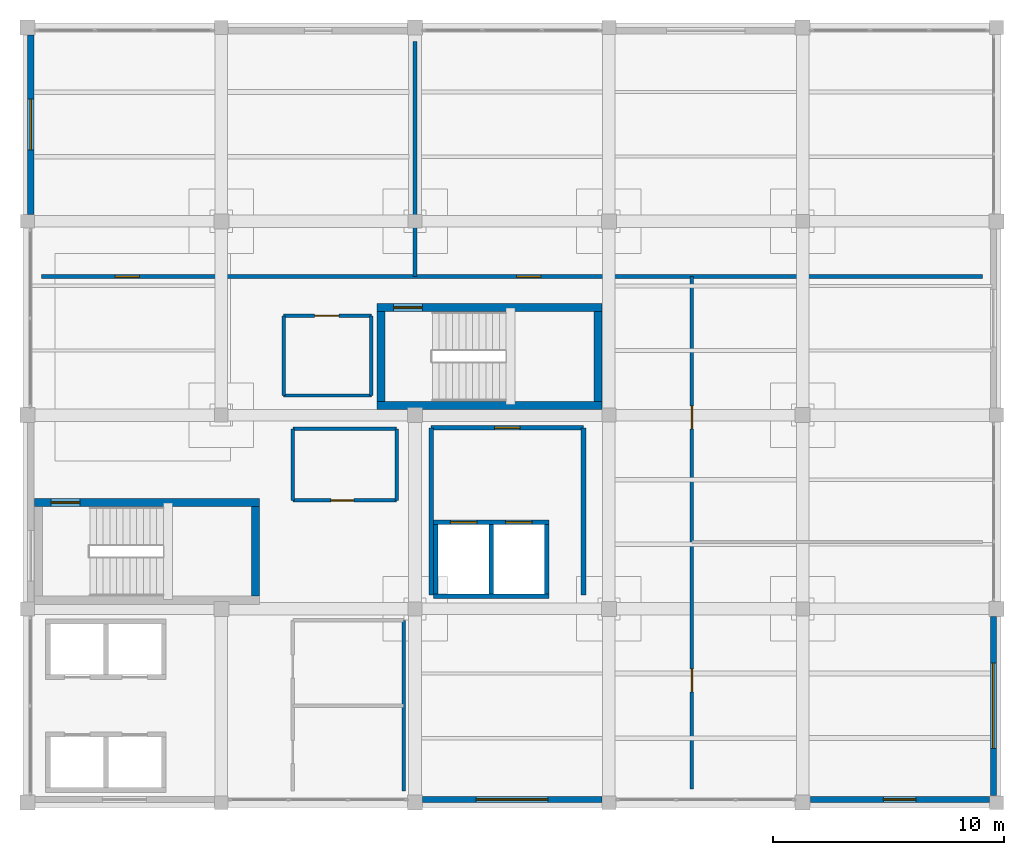
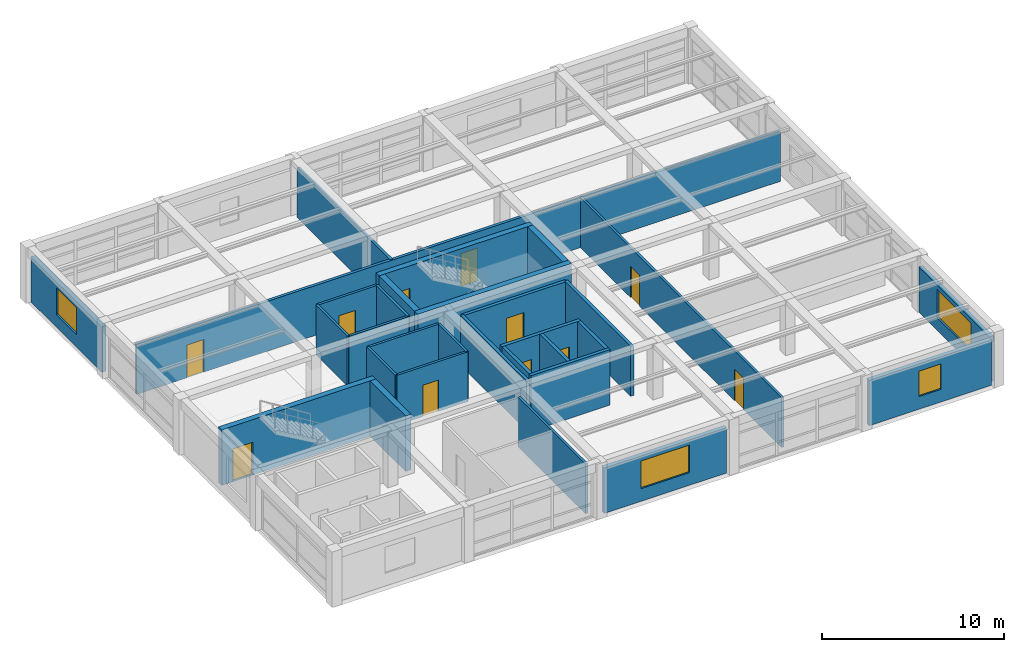
# One storey, part 24 of 26: 30 walls, 11 doors, 4 windows, 15 openings.
"""IFC4 building model written with IfcOpenShell, lengths in metres."""

import ifcopenshell
import ifcopenshell.guid

model = None  # the IFC model being written
_history = None  # IfcOwnerHistory: only IFC2X3 demands one
_inside = {}  # id of a spatial element -> (the spatial element, [elements in it])
_under = {}  # id of a project, library or spatial element -> (it, [spatial elements below it])
_declared = {}  # id of a project -> (the project, [libraries it declares])
_typed = {}  # id of a type object -> (the type object, [elements of that type])
_made_of = {}  # id of a material, layer set ... -> (it, [elements and type objects made of it])


def new_model(schema):
    """Start an empty IFC model of exactly this schema.

    Asked for "IFC4X3", IfcOpenShell would pick the latest addendum, in which some entities
    have other attributes; the version numbers below select the first issue.
    IFC2X3 requires an IfcOwnerHistory on every rooted entity: one is made here for all.
    """
    global model, _history
    if schema == "IFC4X3":
        model = ifcopenshell.file(schema_version=(4, 3, 0, 0))
    else:
        model = ifcopenshell.file(schema=schema)
    _inside.clear()
    _under.clear()
    _declared.clear()
    _typed.clear()
    _made_of.clear()
    _history = None
    if model.schema == "IFC2X3":
        org = make("IfcOrganization", Name="unknown")
        user = make(
            "IfcPersonAndOrganization",
            ThePerson=make("IfcPerson", FamilyName="unknown"),
            TheOrganization=org,
        )
        app = make(
            "IfcApplication",
            ApplicationDeveloper=org,
            Version="unknown",
            ApplicationFullName="unknown",
            ApplicationIdentifier="unknown",
        )
        _history = make(
            "IfcOwnerHistory",
            OwningUser=user,
            OwningApplication=app,
            ChangeAction="ADDED",
            CreationDate=0,
        )
    return model


def make(cls, **values):
    """One entity of the class cls with the attributes given. An attribute that is None is left unset."""
    return model.create_entity(
        cls, **{name: value for name, value in values.items() if value is not None}
    )


def rooted(cls, **values):
    """An entity with a GlobalId (a new one), such as an element, a storey or a relation."""
    return make(cls, GlobalId=ifcopenshell.guid.new(), OwnerHistory=_history, **values)


def si_unit(unit_type, name, prefix=None):
    """IfcSIUnit, for example si_unit("LENGTHUNIT", "METRE", prefix="MILLI")."""
    return make("IfcSIUnit", UnitType=unit_type, Prefix=prefix, Name=name)


def assignment(units):
    """IfcUnitAssignment: the units of a project."""
    return None if units is None else make("IfcUnitAssignment", Units=units)


def point(xyz):
    """IfcCartesianPoint."""
    return None if xyz is None else make("IfcCartesianPoint", Coordinates=xyz)


def direction(xyz):
    """IfcDirection."""
    return None if xyz is None else make("IfcDirection", DirectionRatios=xyz)


def frame(location, z_axis=None, x_axis=None):
    """IfcAxis2Placement3D, a coordinate frame: its origin and axes. An axis left out is left unset."""
    return make(
        "IfcAxis2Placement3D",
        Location=point(location),
        Axis=direction(z_axis),
        RefDirection=direction(x_axis),
    )


def frame_2d(location, x_axis=None):
    """IfcAxis2Placement2D, a coordinate frame in the plane: its origin and x axis."""
    return make(
        "IfcAxis2Placement2D", Location=point(location), RefDirection=direction(x_axis)
    )


def origin():
    """The frame at (0, 0, 0) with its axes left unset."""
    return frame((0.0, 0.0, 0.0))


def place(relative_to, where):
    """IfcLocalPlacement: puts the frame where relative to a parent placement (None: the world)."""
    return make(
        "IfcLocalPlacement", PlacementRelTo=relative_to, RelativePlacement=where
    )


def context(
    kind, dimensions, precision=None, world=None, true_north=None, identifier=None
):
    """IfcGeometricRepresentationContext, for example the 3D "Model" context."""
    return make(
        "IfcGeometricRepresentationContext",
        ContextIdentifier=identifier,
        ContextType=kind,
        CoordinateSpaceDimension=dimensions,
        Precision=precision,
        WorldCoordinateSystem=world,
        TrueNorth=true_north,
    )


def subcontext(parent, identifier, kind, view, scale=None):
    """IfcGeometricRepresentationSubContext, for example "Body" below "Model"."""
    return make(
        "IfcGeometricRepresentationSubContext",
        ContextIdentifier=identifier,
        ContextType=kind,
        ParentContext=parent,
        TargetScale=scale,
        TargetView=view,
    )


def project(units=None, contexts=None):
    """IfcProject with its units and contexts."""
    return rooted(
        "IfcProject",
        Name="project",
        RepresentationContexts=contexts,
        UnitsInContext=assignment(units),
    )


def spatial(cls, under=None, at=None, **own):
    """A site, building, storey or space (cls), placed at a placement, below another one or the project."""
    s = rooted(cls, ObjectPlacement=at, **own)
    if under is not None:
        _under.setdefault(under.id(), (under, []))[1].append(s)
    return s


def profile(cls, at=None, kind="AREA", **sizes):
    """A parametric profile (cls). Its sizes go by their IFC names, for example OverallWidth=200.0."""
    return make(cls, ProfileType=kind, Position=at, **sizes)


def rectangle(**sizes):
    """IfcRectangleProfileDef."""
    return profile("IfcRectangleProfileDef", **sizes)


def extrude(swept, where, along, depth):
    """IfcExtrudedAreaSolid: the profile swept, set in the frame where, extruded along a direction by depth."""
    return make(
        "IfcExtrudedAreaSolid",
        SweptArea=swept,
        Position=where,
        ExtrudedDirection=direction(along),
        Depth=depth,
    )


def shape(context_of_items, identifier, shape_type, items):
    """IfcShapeRepresentation: the items that make up one representation, for example the "Body"."""
    return make(
        "IfcShapeRepresentation",
        ContextOfItems=context_of_items,
        RepresentationIdentifier=identifier,
        RepresentationType=shape_type,
        Items=items,
    )


def material(Name=None, Category=None):
    """IfcMaterial."""
    return make("IfcMaterial", Name=Name, Category=Category)


def layer(
    of_material, thickness, ventilated=None, Name=None, Category=None, Priority=None
):
    """IfcMaterialLayer: one layer of a wall or slab, of a material (None: an air gap)."""
    return make(
        "IfcMaterialLayer",
        Material=of_material,
        LayerThickness=thickness,
        IsVentilated=ventilated,
        Name=Name,
        Category=Category,
        Priority=Priority,
    )


def layer_set(layers, Name=None):
    """IfcMaterialLayerSet."""
    return make("IfcMaterialLayerSet", MaterialLayers=layers, LayerSetName=Name)


def made_of(thing, what):
    """Note that an element or type object is made of a material, layer set ...; save() writes the relation."""
    if what is not None:
        _made_of.setdefault(what.id(), (what, []))[1].append(thing)
    return thing


def type_object(cls, material=None, **own):
    """A type object (cls), such as IfcWallType, which elements share."""
    return made_of(rooted(cls, **own), material)


def element(
    cls,
    number,
    at=None,
    inside=None,
    cuts=None,
    type_object=None,
    material=None,
    context=None,
    identifier="Body",
    shape_type=None,
    held_by="IfcProductDefinitionShape",
    body=None,
    shapes=None,
    **own,
):
    """One element of the class cls, such as IfcWall. Its Tag is "e" and its number.

    at: its placement. inside: the storey or other place that contains it. cuts: it is an
    opening in that element (IfcRelVoidsElement). A single representation is given by context,
    identifier, shape_type and body (its items); several are given by shapes. held_by: the class
    of the entity that holds the representations. save() writes the other relations.
    """
    e = rooted(cls, Tag="e%d" % number, ObjectPlacement=at, **own)
    if body is not None:
        shapes = [shape(context, identifier, shape_type, body)]
    if shapes is not None:
        e.Representation = make(held_by, Representations=shapes)
    if inside is not None:
        _inside.setdefault(inside.id(), (inside, []))[1].append(e)
    if cuts is not None:
        rooted(
            "IfcRelVoidsElement", RelatingBuildingElement=cuts, RelatedOpeningElement=e
        )
    if type_object is not None:
        _typed.setdefault(type_object.id(), (type_object, []))[1].append(e)
    return made_of(e, material)


def fill(opening, filler):
    """IfcRelFillsElement: the door or window that sits in an opening."""
    return rooted(
        "IfcRelFillsElement",
        RelatingOpeningElement=opening,
        RelatedBuildingElement=filler,
    )


def aggregate(whole, parts):
    """IfcRelAggregates: a whole, such as a stair, and the parts it consists of."""
    return rooted("IfcRelAggregates", RelatingObject=whole, RelatedObjects=parts)


def save(model, path):
    """Write the relations noted so far, then the file.

    IfcRelAggregates (storeys below a building ...), IfcRelContainedInSpatialStructure (elements
    in a storey), IfcRelDefinesByType, IfcRelAssociatesMaterial and IfcRelDeclares: one each for
    every whole, place, type object, material and project.
    """
    for whole, parts in _under.values():
        aggregate(whole, parts)
    for where, things in _inside.values():
        rooted(
            "IfcRelContainedInSpatialStructure",
            RelatedElements=things,
            RelatingStructure=where,
        )
    for kind, things in _typed.values():
        rooted("IfcRelDefinesByType", RelatedObjects=things, RelatingType=kind)
    for what, things in _made_of.values():
        rooted("IfcRelAssociatesMaterial", RelatedObjects=things, RelatingMaterial=what)
    for by, libraries in _declared.values():
        rooted("IfcRelDeclares", RelatingContext=by, RelatedDefinitions=libraries)
    model.write(path)


model = new_model("IFC4")

# Units and contexts
model_context = context("Model", 3, precision=1e-05, world=origin(), true_north=direction((0.0, 1.0)))
body_context = subcontext(model_context, "Body", "Model", "MODEL_VIEW")
ifc_project = project(units=[si_unit("LENGTHUNIT", "METRE"), si_unit("AREAUNIT", "SQUARE_METRE"), si_unit("VOLUMEUNIT", "CUBIC_METRE"), si_unit("PLANEANGLEUNIT", "RADIAN"), si_unit("MASSUNIT", "GRAM", prefix="KILO")], contexts=[model_context])

# Site, building, storey
site_placement = place(None, origin())
site = spatial("IfcSite", under=ifc_project, at=site_placement, CompositionType="ELEMENT")
building_placement = place(site_placement, origin())
building = spatial("IfcBuilding", under=site, at=building_placement, Name="Almacenes y Pasaje Nevantli", CompositionType="ELEMENT")
storey_placement = place(building_placement, frame((0.0, 0.0, 54.699951171875)))
storey = spatial("IfcBuildingStorey", under=building, at=storey_placement, Name="L13", CompositionType="ELEMENT", Elevation=54.699951171875)

# Wall, openings, doors
ifc_material_1 = material(Name="Insulated Double-Gypsum Fire Partition", Category="gypsum")
ifc_layer_1 = layer(ifc_material_1, 0.179931640625)
ifc_layer_set_1 = layer_set([ifc_layer_1], Name="Insulated Double-Gypsum Fire Partition")
wall_type_1 = type_object("IfcWallType", Name="WL-COMP-180", PredefinedType="PARTITIONING", material=ifc_layer_set_1)
wall_1_placement = place(storey_placement, frame((118.199951171875, 90.0, 0.0), z_axis=(0.0, 0.0, 1.0), x_axis=(1.0, 0.0, 0.0)))
wall_1 = element("IfcWall", 1, at=wall_1_placement, inside=storey, type_object=wall_type_1, Name="L13 Interior Partition Wall IW-180 #236", PredefinedType="PARTITIONING", context=body_context, shape_type="SweptSolid", body=[
    extrude(rectangle(XDim=40.800048828125, YDim=0.179931640625, at=frame_2d((20.39990234375, 0.0))), origin(), (0.0, 0.0, 1.0), 3.340087890625),
])
opening_1_placement = place(wall_1_placement, frame((3.199951171875, 0.0, 0.0)))
opening_1 = element("IfcOpeningElement", 2, at=opening_1_placement, cuts=wall_1, Name="Opening ID-L13-125", PredefinedType="OPENING", context=body_context, shape_type="SweptSolid", body=[
    extrude(rectangle(XDim=1.050048828125, YDim=2.199951171875, at=frame_2d((0.52490234375, 1.10009765625))), frame((0.0, 0.099853515625, 0.0), z_axis=(0.0, -1.0, 0.0), x_axis=(1.0, 0.0, 0.0)), (0.0, 0.0, 1.0), 0.199951171875),
])
opening_2_placement = place(wall_1_placement, frame((20.60009765625, 0.0, 0.0)))
opening_2 = element("IfcOpeningElement", 3, at=opening_2_placement, cuts=wall_1, Name="Opening ID-L13-126", PredefinedType="OPENING", context=body_context, shape_type="SweptSolid", body=[
    extrude(rectangle(XDim=1.050048828125, YDim=2.199951171875, at=frame_2d((0.52490234375, 1.10009765625))), frame((0.0, 0.099853515625, 0.0), z_axis=(0.0, -1.0, 0.0), x_axis=(1.0, 0.0, 0.0)), (0.0, 0.0, 1.0), 0.199951171875),
])
ifc_material_2 = material(Name="Fire-Rated Mineral-Core Steel", Category="steel")
door_type_1 = type_object("IfcDoorType", Name="DR-FD60-1050", OperationType="SINGLE_SWING_LEFT", PredefinedType="DOOR", material=ifc_material_2)
door_1_placement = place(opening_1_placement, origin())
door_1 = element("IfcDoor", 4, at=door_1_placement, inside=storey, type_object=door_type_1, Name="L13 L13 Legal Chambers Door", OperationType="SINGLE_SWING_LEFT", OverallHeight=2.199951171875, OverallWidth=1.050048828125, PredefinedType="DOOR", context=body_context, shape_type="SweptSolid", body=[
    extrude(rectangle(XDim=1.050048828125, YDim=2.199951171875, at=frame_2d((0.52490234375, 1.10009765625))), frame((0.0, 0.02490234375, 0.0), z_axis=(0.0, -1.0, 0.0), x_axis=(1.0, 0.0, 0.0)), (0.0, 0.0, 1.0), 0.050048828125),
])
fill(opening_1, door_1)
ifc_material_3 = material(Name="Fire-Rated Mineral-Core Steel", Category="steel")
door_type_2 = type_object("IfcDoorType", Name="DR-FD60-1050R", OperationType="SINGLE_SWING_RIGHT", PredefinedType="DOOR", material=ifc_material_3)
door_2_placement = place(opening_2_placement, origin())
door_2 = element("IfcDoor", 5, at=door_2_placement, inside=storey, type_object=door_type_2, Name="L13 L13 Finance Suite Door", OperationType="SINGLE_SWING_RIGHT", OverallHeight=2.199951171875, OverallWidth=1.050048828125, PredefinedType="DOOR", context=body_context, shape_type="SweptSolid", body=[
    extrude(rectangle(XDim=1.050048828125, YDim=2.199951171875, at=frame_2d((0.52490234375, 1.10009765625))), frame((0.0, 0.02490234375, 0.0), z_axis=(0.0, -1.0, 0.0), x_axis=(1.0, 0.0, 0.0)), (0.0, 0.0, 1.0), 0.050048828125),
])
fill(opening_2, door_2)

# Wall
wall_2_placement = place(storey_placement, frame((134.39990234375, 90.0, 0.0), z_axis=(0.0, 0.0, 1.0), x_axis=(0.0, 1.0, 0.0)))
element("IfcWall", 6, at=wall_2_placement, inside=storey, type_object=wall_type_1, Name="L13 Interior Partition Wall IW-180 #237", PredefinedType="PARTITIONING", context=body_context, shape_type="SweptSolid", body=[
    extrude(rectangle(XDim=10.199951171875, YDim=0.179931640625, at=frame_2d((5.10009765625, 0.0))), origin(), (0.0, 0.0, 1.0), 3.340087890625),
])

# Wall, opening, door
ifc_material_4 = material(Name="Fire-Rated Concrete Blockwork", Category="masonry")
ifc_layer_2 = layer(ifc_material_4, 0.199951171875)
ifc_layer_set_2 = layer_set([ifc_layer_2], Name="Fire-Rated Concrete Blockwork")
wall_type_2 = type_object("IfcWallType", Name="WL-COMP-200", PredefinedType="PARTITIONING", material=ifc_layer_set_2)
wall_3_placement = place(storey_placement, frame((135.10009765625, 83.449951171875, 0.0), z_axis=(0.0, 0.0, 1.0), x_axis=(1.0, 0.0, 0.0)))
wall_3 = element("IfcWall", 7, at=wall_3_placement, inside=storey, type_object=wall_type_2, Name="L13 Interior Partition Wall IW-200 #221", PredefinedType="PARTITIONING", context=body_context, shape_type="SweptSolid", body=[
    extrude(rectangle(XDim=6.599853515625, YDim=0.199951171875, at=frame_2d((3.2998046875, 0.0))), origin(), (0.0, 0.0, 1.0), 3.340087890625),
])
opening_3_placement = place(wall_3_placement, frame((2.75, 0.0, 0.0)))
opening_3 = element("IfcOpeningElement", 8, at=opening_3_placement, cuts=wall_3, Name="Opening ID-L13-120", PredefinedType="OPENING", context=body_context, shape_type="SweptSolid", body=[
    extrude(rectangle(XDim=1.10009765625, YDim=2.199951171875, at=frame_2d((0.550048828125, 1.10009765625))), frame((0.0, 0.10986328125, 0.0), z_axis=(0.0, -1.0, 0.0), x_axis=(1.0, 0.0, 0.0)), (0.0, 0.0, 1.0), 0.219970703125),
])
ifc_material_5 = material(Name="Galvanized Fire-Rated Steel", Category="steel")
door_type_3 = type_object("IfcDoorType", Name="DR-FD90-1100R", OperationType="SINGLE_SWING_RIGHT", PredefinedType="DOOR", material=ifc_material_5)
door_3_placement = place(opening_3_placement, origin())
door_3 = element("IfcDoor", 9, at=door_3_placement, inside=storey, type_object=door_type_3, Name="L13 Firefighting Lobby Door", OperationType="SINGLE_SWING_RIGHT", OverallHeight=2.199951171875, OverallWidth=1.10009765625, PredefinedType="DOOR", context=body_context, shape_type="SweptSolid", body=[
    extrude(rectangle(XDim=1.10009765625, YDim=2.199951171875, at=frame_2d((0.550048828125, 1.10009765625))), frame((0.0, 0.02490234375, 0.0), z_axis=(0.0, -1.0, 0.0), x_axis=(1.0, 0.0, 0.0)), (0.0, 0.0, 1.0), 0.050048828125),
])
fill(opening_3, door_3)

# Walls
for number, where, z_axis, x_axis, name in (
    (10, (135.10009765625, 76.199951171875, 0.0), (0.0, 0.0, 1.0), (0.0, 1.0, 0.0), "L13 Interior Partition Wall IW-200 #222"),
    (11, (141.699951171875, 76.199951171875, 0.0), (0.0, 0.0, 1.0), (0.0, 1.0, 0.0), "L13 Interior Partition Wall IW-200 #223"),
):
    element("IfcWall", number, at=place(storey_placement, frame(where, z_axis=z_axis, x_axis=x_axis)), inside=storey, type_object=wall_type_2, Name=name, PredefinedType="PARTITIONING", context=body_context, shape_type="SweptSolid", body=[
        extrude(rectangle(XDim=7.25, YDim=0.199951171875, at=frame_2d((3.625, 0.0))), origin(), (0.0, 0.0, 1.0), 3.340087890625),
    ])

# Wall, opening, door
ifc_material_6 = material(Name="Concrete C45/55", Category="concrete")
ifc_layer_3 = layer(ifc_material_6, 0.35009765625)
ifc_layer_set_3 = layer_set([ifc_layer_3], Name="Concrete C45/55")
wall_type_3 = type_object("IfcWallType", Name="WL-CORE-350", PredefinedType="SHEAR", material=ifc_layer_set_3)
wall_4_placement = place(storey_placement, frame((117.89990234375, 80.215087890625, 0.0), z_axis=(0.0, 0.0, 1.0), x_axis=(1.0, 0.0, 0.0)))
wall_4 = element("IfcWall", 12, at=wall_4_placement, inside=storey, type_object=wall_type_3, Name="L13 Exit Stair ST-01 North Core Shear Wall", PredefinedType="SHEAR", context=body_context, shape_type="SweptSolid", body=[
    extrude(rectangle(XDim=9.75, YDim=0.35009765625, at=frame_2d((4.875, 0.0))), origin(), (0.0, 0.0, 1.0), 3.719970703125),
])
opening_4_placement = place(wall_4_placement, frame((0.719970703125, 0.0, 0.0)))
opening_4 = element("IfcOpeningElement", 13, at=opening_4_placement, cuts=wall_4, Name="Opening SD-01-L13", PredefinedType="OPENING", context=body_context, shape_type="SweptSolid", body=[
    extrude(rectangle(XDim=1.25, YDim=2.199951171875, at=frame_2d((0.625, 1.10009765625))), frame((0.0, 0.18505859375, 0.0), z_axis=(0.0, -1.0, 0.0), x_axis=(1.0, 0.0, 0.0)), (0.0, 0.0, 1.0), 0.3701171875),
])
ifc_material_7 = material(Name="Galvanized Fire-Rated Steel", Category="steel")
door_type_4 = type_object("IfcDoorType", Name="DR-STAIR-1250", OperationType="SINGLE_SWING_LEFT", PredefinedType="DOOR", material=ifc_material_7)
door_4_placement = place(opening_4_placement, origin())
door_4 = element("IfcDoor", 14, at=door_4_placement, inside=storey, type_object=door_type_4, Name="L13 Smokeproof Exit Stair ST-01 Fire Door", OperationType="SINGLE_SWING_LEFT", OverallHeight=2.199951171875, OverallWidth=1.25, PredefinedType="DOOR", context=body_context, shape_type="SweptSolid", body=[
    extrude(rectangle(XDim=1.25, YDim=2.199951171875, at=frame_2d((0.625, 1.10009765625))), frame((0.0, 0.02490234375, 0.0), z_axis=(0.0, -1.0, 0.0), x_axis=(1.0, 0.0, 0.0)), (0.0, 0.0, 1.0), 0.050048828125),
])
fill(opening_4, door_4)

# Walls
wall_5_placement = place(storey_placement, frame((127.47509765625, 76.14990234375, 0.0), z_axis=(0.0, 0.0, 1.0), x_axis=(0.0, 1.0, 0.0)))
element("IfcWall", 15, at=wall_5_placement, inside=storey, type_object=wall_type_3, Name="L13 Exit Stair ST-01 East Core Shear Wall", PredefinedType="SHEAR", context=body_context, shape_type="SweptSolid", body=[
    extrude(rectangle(XDim=3.89013671875, YDim=0.35009765625, at=frame_2d((1.945068359375, 0.0))), origin(), (0.0, 0.0, 1.0), 3.719970703125),
])
wall_6_placement = place(storey_placement, frame((132.75, 84.425048828125, 0.0), z_axis=(0.0, 0.0, 1.0), x_axis=(1.0, 0.0, 0.0)))
element("IfcWall", 16, at=wall_6_placement, inside=storey, type_object=wall_type_3, Name="L13 Exit Stair ST-02 South Core Shear Wall", PredefinedType="SHEAR", context=body_context, shape_type="SweptSolid", body=[
    extrude(rectangle(XDim=9.75, YDim=0.35009765625, at=frame_2d((4.875, 0.0))), origin(), (0.0, 0.0, 1.0), 3.719970703125),
])

# Wall, opening, door
wall_7_placement = place(storey_placement, frame((132.75, 88.6650390625, 0.0), z_axis=(0.0, 0.0, 1.0), x_axis=(1.0, 0.0, 0.0)))
wall_7 = element("IfcWall", 17, at=wall_7_placement, inside=storey, type_object=wall_type_3, Name="L13 Exit Stair ST-02 North Core Shear Wall", PredefinedType="SHEAR", context=body_context, shape_type="SweptSolid", body=[
    extrude(rectangle(XDim=9.75, YDim=0.35009765625, at=frame_2d((4.875, 0.0))), origin(), (0.0, 0.0, 1.0), 3.719970703125),
])
opening_5_placement = place(wall_7_placement, frame((0.719970703125, 0.0, 0.0)))
opening_5 = element("IfcOpeningElement", 18, at=opening_5_placement, cuts=wall_7, Name="Opening SD-02-L13", PredefinedType="OPENING", context=body_context, shape_type="SweptSolid", body=[
    extrude(rectangle(XDim=1.25, YDim=2.199951171875, at=frame_2d((0.625, 1.10009765625))), frame((0.0, 0.18505859375, 0.0), z_axis=(0.0, -1.0, 0.0), x_axis=(1.0, 0.0, 0.0)), (0.0, 0.0, 1.0), 0.3701171875),
])
ifc_material_8 = material(Name="Galvanized Fire-Rated Steel", Category="steel")
door_type_5 = type_object("IfcDoorType", Name="DR-STAIR-1250R", OperationType="SINGLE_SWING_RIGHT", PredefinedType="DOOR", material=ifc_material_8)
door_5_placement = place(opening_5_placement, origin())
door_5 = element("IfcDoor", 19, at=door_5_placement, inside=storey, type_object=door_type_5, Name="L13 Smokeproof Exit Stair ST-02 Fire Door", OperationType="SINGLE_SWING_RIGHT", OverallHeight=2.199951171875, OverallWidth=1.25, PredefinedType="DOOR", context=body_context, shape_type="SweptSolid", body=[
    extrude(rectangle(XDim=1.25, YDim=2.199951171875, at=frame_2d((0.625, 1.10009765625))), frame((0.0, 0.02490234375, 0.0), z_axis=(0.0, -1.0, 0.0), x_axis=(1.0, 0.0, 0.0)), (0.0, 0.0, 1.0), 0.050048828125),
])
fill(opening_5, door_5)

# Walls
for number, where, z_axis, x_axis, name in (
    (20, (132.925048828125, 84.60009765625, 0.0), (0.0, 0.0, 1.0), (0.0, 1.0, 0.0), "L13 Exit Stair ST-02 West Core Shear Wall"),
    (21, (142.324951171875, 84.60009765625, 0.0), (0.0, 0.0, 1.0), (0.0, 1.0, 0.0), "L13 Exit Stair ST-02 East Core Shear Wall"),
):
    element("IfcWall", number, at=place(storey_placement, frame(where, z_axis=z_axis, x_axis=x_axis)), inside=storey, type_object=wall_type_3, Name=name, PredefinedType="SHEAR", context=body_context, shape_type="SweptSolid", body=[
        extrude(rectangle(XDim=3.889892578125, YDim=0.35009765625, at=frame_2d((1.94482421875, 0.0))), origin(), (0.0, 0.0, 1.0), 3.719970703125),
    ])

# Wall, opening, window
ifc_material_9 = material(Name="Architectural Precast Concrete C35/45 Spandrel Wall", Category="concrete")
ifc_layer_4 = layer(ifc_material_9, 0.280029296875)
ifc_layer_set_4 = layer_set([ifc_layer_4], Name="Architectural Precast Concrete C35/45 Spandrel Wall")
wall_type_4 = type_object("IfcWallType", Name="WL-EXT-CANTERA-280", PredefinedType="SOLIDWALL", material=ifc_layer_set_4)
wall_8_placement = place(storey_placement, frame((117.739990234375, 92.7041015625, 0.0), z_axis=(0.0, 0.0, 1.0), x_axis=(0.0, 1.0, 0.0)))
wall_8 = element("IfcWall", 22, at=wall_8_placement, inside=storey, type_object=wall_type_4, Name="L13 Tower West Cantera Wall Bay 12", PredefinedType="SOLIDWALL", context=body_context, shape_type="SweptSolid", body=[
    extrude(rectangle(XDim=7.767822265625, YDim=0.280029296875, at=frame_2d((3.8837890625, 0.0))), origin(), (0.0, 0.0, 1.0), 3.0400390625),
])
opening_6_placement = place(wall_8_placement, frame((2.7958984375, 0.0, 0.85009765625)))
opening_6 = element("IfcOpeningElement", 23, at=opening_6_placement, cuts=wall_8, Name="Opening WT-31-267", PredefinedType="OPENING", context=body_context, shape_type="SweptSolid", body=[
    extrude(rectangle(XDim=2.199951171875, YDim=1.800048828125, at=frame_2d((1.10009765625, 0.89990234375))), frame((0.0, 0.14990234375, 0.0), z_axis=(0.0, -1.0, 0.0), x_axis=(1.0, 0.0, 0.0)), (0.0, 0.0, 1.0), 0.300048828125),
])
ifc_material_10 = material(Name="Thermally Broken Aluminium and Low-E Double Glazing", Category="aluminium")
window_type_1 = type_object("IfcWindowType", Name="WN-TWR-2200x1800", PartitioningType="SINGLE_PANEL", PredefinedType="WINDOW", material=ifc_material_10)
window_1_placement = place(opening_6_placement, origin())
window_1 = element("IfcWindow", 24, at=window_1_placement, inside=storey, type_object=window_type_1, Name="L13 Exterior Window WT-31 #267", OverallHeight=1.800048828125, OverallWidth=2.199951171875, PartitioningType="SINGLE_PANEL", PredefinedType="WINDOW", context=body_context, shape_type="SweptSolid", body=[
    extrude(rectangle(XDim=2.199951171875, YDim=1.800048828125, at=frame_2d((1.10009765625, 0.89990234375))), frame((0.0, 0.030029296875, 0.0), z_axis=(0.0, -1.0, 0.0), x_axis=(1.0, 0.0, 0.0)), (0.0, 0.0, 1.0), 0.06005859375),
])
fill(opening_6, window_1)

ifc_material_11 = material(Name="Cream Architectural Precast Concrete C35/45 Wall", Category="concrete")
ifc_layer_5 = layer(ifc_material_11, 0.260009765625)
ifc_layer_set_5 = layer_set([ifc_layer_5], Name="Cream Architectural Precast Concrete C35/45 Wall")
wall_type_5 = type_object("IfcWallType", Name="WL-EXT-PRECAST-260", PredefinedType="SOLIDWALL", material=ifc_layer_set_5)
wall_9_placement = place(storey_placement, frame((134.72802734375, 67.340087890625, 0.0), z_axis=(0.0, 0.0, 1.0), x_axis=(1.0, 0.0, 0.0)))
wall_9 = element("IfcWall", 25, at=wall_9_placement, inside=storey, type_object=wall_type_5, Name="L13 Tower South Precast Spandrel Wall Bay 17", PredefinedType="SOLIDWALL", context=body_context, shape_type="SweptSolid", body=[
    extrude(rectangle(XDim=7.77001953125, YDim=0.260009765625, at=frame_2d((3.885009765625, 0.0))), origin(), (0.0, 0.0, 1.0), 3.0400390625),
])
opening_7_placement = place(wall_9_placement, frame((2.322021484375, 0.0, 0.85009765625)))
opening_7 = element("IfcOpeningElement", 26, at=opening_7_placement, cuts=wall_9, Name="Opening WT-28-261", PredefinedType="OPENING", context=body_context, shape_type="SweptSolid", body=[
    extrude(rectangle(XDim=3.10009765625, YDim=1.85009765625, at=frame_2d((1.550048828125, 0.925048828125))), frame((0.0, 0.139892578125, 0.0), z_axis=(0.0, -1.0, 0.0), x_axis=(1.0, 0.0, 0.0)), (0.0, 0.0, 1.0), 0.280029296875),
])
ifc_material_12 = material(Name="Thermally Broken Aluminium and Low-E Double Glazing", Category="aluminium")
window_type_2 = type_object("IfcWindowType", Name="WN-TWR-3100x1850", PartitioningType="SINGLE_PANEL", PredefinedType="WINDOW", material=ifc_material_12)
window_2_placement = place(opening_7_placement, origin())
window_2 = element("IfcWindow", 27, at=window_2_placement, inside=storey, type_object=window_type_2, Name="L13 Exterior Window WT-28 #261", OverallHeight=1.85009765625, OverallWidth=3.10009765625, PartitioningType="SINGLE_PANEL", PredefinedType="WINDOW", context=body_context, shape_type="SweptSolid", body=[
    extrude(rectangle(XDim=3.10009765625, YDim=1.85009765625, at=frame_2d((1.550048828125, 0.925048828125))), frame((0.0, 0.030029296875, 0.0), z_axis=(0.0, -1.0, 0.0), x_axis=(1.0, 0.0, 0.0)), (0.0, 0.0, 1.0), 0.06005859375),
])
fill(opening_7, window_2)

wall_10_placement = place(storey_placement, frame((151.528076171875, 67.340087890625, 0.0), z_axis=(0.0, 0.0, 1.0), x_axis=(1.0, 0.0, 0.0)))
wall_10 = element("IfcWall", 28, at=wall_10_placement, inside=storey, type_object=wall_type_5, Name="L13 Tower South Precast Spandrel Wall Bay 19", PredefinedType="SOLIDWALL", context=body_context, shape_type="SweptSolid", body=[
    extrude(rectangle(XDim=7.767822265625, YDim=0.260009765625, at=frame_2d((3.8837890625, 0.0))), origin(), (0.0, 0.0, 1.0), 3.0400390625),
])
opening_8_placement = place(wall_10_placement, frame((3.172119140625, 0.0, 0.85009765625)))
opening_8 = element("IfcOpeningElement", 29, at=opening_8_placement, cuts=wall_10, Name="Opening WT-34-263", PredefinedType="OPENING", context=body_context, shape_type="SweptSolid", body=[
    extrude(rectangle(XDim=1.39990234375, YDim=1.699951171875, at=frame_2d((0.699951171875, 0.85009765625))), frame((0.0, 0.139892578125, 0.0), z_axis=(0.0, -1.0, 0.0), x_axis=(1.0, 0.0, 0.0)), (0.0, 0.0, 1.0), 0.280029296875),
])
ifc_material_13 = material(Name="Thermally Broken Aluminium and Low-E Double Glazing", Category="aluminium")
window_type_3 = type_object("IfcWindowType", Name="WN-TWR-1400x1700", PartitioningType="SINGLE_PANEL", PredefinedType="WINDOW", material=ifc_material_13)
window_3_placement = place(opening_8_placement, origin())
window_3 = element("IfcWindow", 30, at=window_3_placement, inside=storey, type_object=window_type_3, Name="L13 Exterior Window WT-34 #263", OverallHeight=1.699951171875, OverallWidth=1.39990234375, PartitioningType="SINGLE_PANEL", PredefinedType="WINDOW", context=body_context, shape_type="SweptSolid", body=[
    extrude(rectangle(XDim=1.39990234375, YDim=1.699951171875, at=frame_2d((0.699951171875, 0.85009765625))), frame((0.0, 0.030029296875, 0.0), z_axis=(0.0, -1.0, 0.0), x_axis=(1.0, 0.0, 0.0)), (0.0, 0.0, 1.0), 0.06005859375),
])
fill(opening_8, window_3)

wall_11_placement = place(storey_placement, frame((159.4599609375, 67.50390625, 0.0), z_axis=(0.0, 0.0, 1.0), x_axis=(0.0, 1.0, 0.0)))
wall_11 = element("IfcWall", 31, at=wall_11_placement, inside=storey, type_object=wall_type_5, Name="L13 Tower East Precast Wall Bay 9", PredefinedType="SOLIDWALL", context=body_context, shape_type="SweptSolid", body=[
    extrude(rectangle(XDim=7.76806640625, YDim=0.260009765625, at=frame_2d((3.884033203125, 0.0))), origin(), (0.0, 0.0, 1.0), 3.0400390625),
])
opening_9_placement = place(wall_11_placement, frame((2.0458984375, 0.0, 0.85009765625)))
opening_9 = element("IfcOpeningElement", 32, at=opening_9_placement, cuts=wall_11, Name="Opening WT-26-264", PredefinedType="OPENING", context=body_context, shape_type="SweptSolid", body=[
    extrude(rectangle(XDim=3.699951171875, YDim=1.89990234375, at=frame_2d((1.85009765625, 0.949951171875))), frame((0.0, 0.139892578125, 0.0), z_axis=(0.0, -1.0, 0.0), x_axis=(1.0, 0.0, 0.0)), (0.0, 0.0, 1.0), 0.280029296875),
])
ifc_material_14 = material(Name="Thermally Broken Aluminium and Low-E Double Glazing", Category="aluminium")
window_type_4 = type_object("IfcWindowType", Name="WN-TWR-3700x1900", PartitioningType="SINGLE_PANEL", PredefinedType="WINDOW", material=ifc_material_14)
window_4_placement = place(opening_9_placement, origin())
window_4 = element("IfcWindow", 33, at=window_4_placement, inside=storey, type_object=window_type_4, Name="L13 Exterior Window WT-26 #264", OverallHeight=1.89990234375, OverallWidth=3.699951171875, PartitioningType="SINGLE_PANEL", PredefinedType="WINDOW", context=body_context, shape_type="SweptSolid", body=[
    extrude(rectangle(XDim=3.699951171875, YDim=1.89990234375, at=frame_2d((1.85009765625, 0.949951171875))), frame((0.0, 0.030029296875, 0.0), z_axis=(0.0, -1.0, 0.0), x_axis=(1.0, 0.0, 0.0)), (0.0, 0.0, 1.0), 0.06005859375),
])
fill(opening_9, window_4)

# Wall, opening, door
ifc_material_15 = material(Name="Acoustic Steel-Stud Gypsum Partition", Category="steel")
ifc_layer_6 = layer(ifc_material_15, 0.14990234375)
ifc_layer_set_6 = layer_set([ifc_layer_6], Name="Acoustic Steel-Stud Gypsum Partition")
wall_type_6 = type_object("IfcWallType", Name="WL-PART-150", PredefinedType="PARTITIONING", material=ifc_layer_set_6)
wall_12_placement = place(storey_placement, frame((129.10009765625, 80.300048828125, 0.0), z_axis=(0.0, 0.0, 1.0), x_axis=(1.0, 0.0, 0.0)))
wall_12 = element("IfcWall", 34, at=wall_12_placement, inside=storey, type_object=wall_type_6, Name="L13 Interior Partition Wall IW-150 #224", PredefinedType="PARTITIONING", context=body_context, shape_type="SweptSolid", body=[
    extrude(rectangle(XDim=4.5, YDim=0.14990234375, at=frame_2d((2.25, 0.0))), origin(), (0.0, 0.0, 1.0), 3.340087890625),
])
opening_10_placement = place(wall_12_placement, frame((1.64990234375, 0.0, 0.0)))
opening_10 = element("IfcOpeningElement", 35, at=opening_10_placement, cuts=wall_12, Name="Opening ID-L13-121", PredefinedType="OPENING", context=body_context, shape_type="SweptSolid", body=[
    extrude(rectangle(XDim=1.0, YDim=2.10009765625, at=frame_2d((0.5, 1.050048828125))), frame((0.0, 0.0849609375, 0.0), z_axis=(0.0, -1.0, 0.0), x_axis=(1.0, 0.0, 0.0)), (0.0, 0.0, 1.0), 0.169921875),
])
ifc_material_16 = material(Name="Powder-Coated Hollow Metal", Category="steel")
door_type_6 = type_object("IfcDoorType", Name="DR-INT-1000", OperationType="SINGLE_SWING_LEFT", PredefinedType="DOOR", material=ifc_material_16)
door_6_placement = place(opening_10_placement, origin())
door_6 = element("IfcDoor", 36, at=door_6_placement, inside=storey, type_object=door_type_6, Name="L13 Staff and Public WC Door", OperationType="SINGLE_SWING_LEFT", OverallHeight=2.10009765625, OverallWidth=1.0, PredefinedType="DOOR", context=body_context, shape_type="SweptSolid", body=[
    extrude(rectangle(XDim=1.0, YDim=2.10009765625, at=frame_2d((0.5, 1.050048828125))), frame((0.0, 0.02490234375, 0.0), z_axis=(0.0, -1.0, 0.0), x_axis=(1.0, 0.0, 0.0)), (0.0, 0.0, 1.0), 0.050048828125),
])
fill(opening_10, door_6)

# Walls
wall_13_placement = place(storey_placement, frame((129.10009765625, 83.39990234375, 0.0), z_axis=(0.0, 0.0, 1.0), x_axis=(1.0, 0.0, 0.0)))
element("IfcWall", 37, at=wall_13_placement, inside=storey, type_object=wall_type_6, Name="L13 Interior Partition Wall IW-150 #225", PredefinedType="PARTITIONING", context=body_context, shape_type="SweptSolid", body=[
    extrude(rectangle(XDim=4.5, YDim=0.14990234375, at=frame_2d((2.25, 0.0))), origin(), (0.0, 0.0, 1.0), 3.340087890625),
])
for number, where, z_axis, x_axis, name in (
    (38, (129.10009765625, 80.300048828125, 0.0), (0.0, 0.0, 1.0), (0.0, 1.0, 0.0), "L13 Interior Partition Wall IW-150 #226"),
    (39, (133.60009765625, 80.300048828125, 0.0), (0.0, 0.0, 1.0), (0.0, 1.0, 0.0), "L13 Interior Partition Wall IW-150 #227"),
):
    element("IfcWall", number, at=place(storey_placement, frame(where, z_axis=z_axis, x_axis=x_axis)), inside=storey, type_object=wall_type_6, Name=name, PredefinedType="PARTITIONING", context=body_context, shape_type="SweptSolid", body=[
        extrude(rectangle(XDim=3.099853515625, YDim=0.14990234375, at=frame_2d((1.5498046875, 0.0))), origin(), (0.0, 0.0, 1.0), 3.340087890625),
    ])

# Wall, opening, door
wall_14_placement = place(storey_placement, frame((128.699951171875, 88.300048828125, 0.0), z_axis=(0.0, 0.0, 1.0), x_axis=(1.0, 0.0, 0.0)))
wall_14 = element("IfcWall", 40, at=wall_14_placement, inside=storey, type_object=wall_type_6, Name="L13 Interior Partition Wall IW-150 #228", PredefinedType="PARTITIONING", context=body_context, shape_type="SweptSolid", body=[
    extrude(rectangle(XDim=3.800048828125, YDim=0.14990234375, at=frame_2d((1.89990234375, 0.0))), origin(), (0.0, 0.0, 1.0), 3.340087890625),
])
opening_11_placement = place(wall_14_placement, frame((1.35009765625, 0.0, 0.0)))
opening_11 = element("IfcOpeningElement", 41, at=opening_11_placement, cuts=wall_14, Name="Opening ID-L13-122", PredefinedType="OPENING", context=body_context, shape_type="SweptSolid", body=[
    extrude(rectangle(XDim=1.050048828125, YDim=2.14990234375, at=frame_2d((0.52490234375, 1.074951171875))), frame((0.0, 0.0849609375, 0.0), z_axis=(0.0, -1.0, 0.0), x_axis=(1.0, 0.0, 0.0)), (0.0, 0.0, 1.0), 0.169921875),
])
ifc_material_17 = material(Name="Powder-Coated Hollow Metal", Category="steel")
door_type_7 = type_object("IfcDoorType", Name="DR-ACC-1050", OperationType="SINGLE_SWING_RIGHT", PredefinedType="DOOR", material=ifc_material_17)
door_7_placement = place(opening_11_placement, origin())
door_7 = element("IfcDoor", 42, at=door_7_placement, inside=storey, type_object=door_type_7, Name="L13 Accessible WC Door", OperationType="SINGLE_SWING_RIGHT", OverallHeight=2.14990234375, OverallWidth=1.050048828125, PredefinedType="DOOR", context=body_context, shape_type="SweptSolid", body=[
    extrude(rectangle(XDim=1.050048828125, YDim=2.14990234375, at=frame_2d((0.52490234375, 1.074951171875))), frame((0.0, 0.02490234375, 0.0), z_axis=(0.0, -1.0, 0.0), x_axis=(1.0, 0.0, 0.0)), (0.0, 0.0, 1.0), 0.050048828125),
])
fill(opening_11, door_7)

# Walls
wall_15_placement = place(storey_placement, frame((128.699951171875, 84.85009765625, 0.0), z_axis=(0.0, 0.0, 1.0), x_axis=(1.0, 0.0, 0.0)))
element("IfcWall", 43, at=wall_15_placement, inside=storey, type_object=wall_type_6, Name="L13 Interior Partition Wall IW-150 #229", PredefinedType="PARTITIONING", context=body_context, shape_type="SweptSolid", body=[
    extrude(rectangle(XDim=3.800048828125, YDim=0.14990234375, at=frame_2d((1.89990234375, 0.0))), origin(), (0.0, 0.0, 1.0), 3.340087890625),
])
for number, where, z_axis, x_axis, name in (
    (44, (128.699951171875, 84.85009765625, 0.0), (0.0, 0.0, 1.0), (0.0, 1.0, 0.0), "L13 Interior Partition Wall IW-150 #230"),
    (45, (132.5, 84.85009765625, 0.0), (0.0, 0.0, 1.0), (0.0, 1.0, 0.0), "L13 Interior Partition Wall IW-150 #231"),
):
    element("IfcWall", number, at=place(storey_placement, frame(where, z_axis=z_axis, x_axis=x_axis)), inside=storey, type_object=wall_type_6, Name=name, PredefinedType="PARTITIONING", context=body_context, shape_type="SweptSolid", body=[
        extrude(rectangle(XDim=3.449951171875, YDim=0.14990234375, at=frame_2d((1.72509765625, 0.0))), origin(), (0.0, 0.0, 1.0), 3.340087890625),
    ])
wall_16_placement = place(storey_placement, frame((133.89990234375, 67.699951171875, 0.0), z_axis=(0.0, 0.0, 1.0), x_axis=(0.0, 1.0, 0.0)))
element("IfcWall", 46, at=wall_16_placement, inside=storey, type_object=wall_type_6, Name="L13 Interior Partition Wall IW-150 #234", PredefinedType="PARTITIONING", context=body_context, shape_type="SweptSolid", body=[
    extrude(rectangle(XDim=7.400146484375, YDim=0.14990234375, at=frame_2d((3.7001953125, 0.0))), origin(), (0.0, 0.0, 1.0), 3.340087890625),
])

# Wall, openings, doors
wall_17_placement = place(storey_placement, frame((146.39990234375, 67.800048828125, 0.0), z_axis=(0.0, 0.0, 1.0), x_axis=(0.0, 1.0, 0.0)))
wall_17 = element("IfcWall", 47, at=wall_17_placement, inside=storey, type_object=wall_type_6, Name="L13 Interior Partition Wall IW-150 #238", PredefinedType="PARTITIONING", context=body_context, shape_type="SweptSolid", body=[
    extrude(rectangle(XDim=22.199951171875, YDim=0.14990234375, at=frame_2d((11.10009765625, 0.0))), origin(), (0.0, 0.0, 1.0), 3.340087890625),
])
opening_12_placement = place(wall_17_placement, frame((4.199951171875, 0.0, 0.0)))
opening_12 = element("IfcOpeningElement", 48, at=opening_12_placement, cuts=wall_17, Name="Opening ID-L13-127", PredefinedType="OPENING", context=body_context, shape_type="SweptSolid", body=[
    extrude(rectangle(XDim=1.0, YDim=2.10009765625, at=frame_2d((0.5, 1.050048828125))), frame((0.0, 0.0849609375, 0.0), z_axis=(0.0, -1.0, 0.0), x_axis=(1.0, 0.0, 0.0)), (0.0, 0.0, 1.0), 0.169921875),
])
opening_13_placement = place(wall_17_placement, frame((15.60009765625, 0.0, 0.0)))
opening_13 = element("IfcOpeningElement", 49, at=opening_13_placement, cuts=wall_17, Name="Opening ID-L13-128", PredefinedType="OPENING", context=body_context, shape_type="SweptSolid", body=[
    extrude(rectangle(XDim=1.0, YDim=2.10009765625, at=frame_2d((0.5, 1.050048828125))), frame((0.0, 0.0849609375, 0.0), z_axis=(0.0, -1.0, 0.0), x_axis=(1.0, 0.0, 0.0)), (0.0, 0.0, 1.0), 0.169921875),
])
door_8_placement = place(opening_12_placement, origin())
door_8 = element("IfcDoor", 50, at=door_8_placement, inside=storey, type_object=door_type_6, Name="L13 L13 Audit Suite Door", OperationType="SINGLE_SWING_LEFT", OverallHeight=2.10009765625, OverallWidth=1.0, PredefinedType="DOOR", context=body_context, shape_type="SweptSolid", body=[
    extrude(rectangle(XDim=1.0, YDim=2.10009765625, at=frame_2d((0.5, 1.050048828125))), frame((0.0, 0.02490234375, 0.0), z_axis=(0.0, -1.0, 0.0), x_axis=(1.0, 0.0, 0.0)), (0.0, 0.0, 1.0), 0.050048828125),
])
fill(opening_12, door_8)
ifc_material_18 = material(Name="Powder-Coated Hollow Metal", Category="steel")
door_type_8 = type_object("IfcDoorType", Name="DR-INT-1000R", OperationType="SINGLE_SWING_RIGHT", PredefinedType="DOOR", material=ifc_material_18)
door_9_placement = place(opening_13_placement, origin())
door_9 = element("IfcDoor", 51, at=door_9_placement, inside=storey, type_object=door_type_8, Name="L13 L13 Advisory Partners Door", OperationType="SINGLE_SWING_RIGHT", OverallHeight=2.10009765625, OverallWidth=1.0, PredefinedType="DOOR", context=body_context, shape_type="SweptSolid", body=[
    extrude(rectangle(XDim=1.0, YDim=2.10009765625, at=frame_2d((0.5, 1.050048828125))), frame((0.0, 0.02490234375, 0.0), z_axis=(0.0, -1.0, 0.0), x_axis=(1.0, 0.0, 0.0)), (0.0, 0.0, 1.0), 0.050048828125),
])
fill(opening_13, door_9)

# Wall
ifc_material_19 = material(Name="Concrete C45/55", Category="concrete")
ifc_layer_7 = layer(ifc_material_19, 0.2099609375)
ifc_layer_set_7 = layer_set([ifc_layer_7], Name="Concrete C45/55")
wall_type_7 = type_object("IfcWallType", Name="WL-SHAFT-210", PredefinedType="SHEAR", material=ifc_layer_set_7)
wall_18_placement = place(storey_placement, frame((135.18994140625, 76.14501953125, 0.0), z_axis=(0.0, 0.0, 1.0), x_axis=(1.0, 0.0, 0.0)))
element("IfcWall", 52, at=wall_18_placement, inside=storey, type_object=wall_type_7, Name="L13 Lift Hoistway ELV-FF1-ELV-FF2 South Wall", PredefinedType="SHEAR", context=body_context, shape_type="SweptSolid", body=[
    extrude(rectangle(XDim=5.02001953125, YDim=0.2099609375, at=frame_2d((2.510009765625, 0.0))), origin(), (0.0, 0.0, 1.0), 3.719970703125),
])

# Wall, openings, doors
wall_19_placement = place(storey_placement, frame((135.18994140625, 79.35498046875, 0.0), z_axis=(0.0, 0.0, 1.0), x_axis=(1.0, 0.0, 0.0)))
wall_19 = element("IfcWall", 53, at=wall_19_placement, inside=storey, type_object=wall_type_7, Name="L13 Lift Hoistway ELV-FF1-ELV-FF2 North Wall", PredefinedType="SHEAR", context=body_context, shape_type="SweptSolid", body=[
    extrude(rectangle(XDim=5.02001953125, YDim=0.2099609375, at=frame_2d((2.510009765625, 0.0))), origin(), (0.0, 0.0, 1.0), 3.719970703125),
])
opening_14_placement = place(wall_19_placement, frame((0.735107421875, 0.0, 0.0)))
opening_14 = element("IfcOpeningElement", 54, at=opening_14_placement, cuts=wall_19, Name="Opening LD-FF1-L13", PredefinedType="OPENING", context=body_context, shape_type="SweptSolid", body=[
    extrude(rectangle(XDim=1.14990234375, YDim=2.199951171875, at=frame_2d((0.574951171875, 1.10009765625))), frame((0.0, 0.114990234375, 0.0), z_axis=(0.0, -1.0, 0.0), x_axis=(1.0, 0.0, 0.0)), (0.0, 0.0, 1.0), 0.22998046875),
])
opening_15_placement = place(wall_19_placement, frame((3.135009765625, 0.0, 0.0)))
opening_15 = element("IfcOpeningElement", 55, at=opening_15_placement, cuts=wall_19, Name="Opening LD-FF2-L13", PredefinedType="OPENING", context=body_context, shape_type="SweptSolid", body=[
    extrude(rectangle(XDim=1.14990234375, YDim=2.199951171875, at=frame_2d((0.574951171875, 1.10009765625))), frame((0.0, 0.114990234375, 0.0), z_axis=(0.0, -1.0, 0.0), x_axis=(1.0, 0.0, 0.0)), (0.0, 0.0, 1.0), 0.22998046875),
])
ifc_material_20 = material(Name="Fire-Rated Stainless Steel", Category="steel")
door_type_9 = type_object("IfcDoorType", Name="DR-LD-FF-1150", OperationType="DOUBLE_DOOR_SLIDING", PredefinedType="DOOR", material=ifc_material_20)
door_10_placement = place(opening_14_placement, origin())
door_10 = element("IfcDoor", 56, at=door_10_placement, inside=storey, type_object=door_type_9, Name="Lift Landing Door ELV-FF1 L13", OperationType="DOUBLE_DOOR_SLIDING", OverallHeight=2.199951171875, OverallWidth=1.14990234375, PredefinedType="DOOR", context=body_context, shape_type="SweptSolid", body=[
    extrude(rectangle(XDim=1.14990234375, YDim=2.199951171875, at=frame_2d((0.574951171875, 1.10009765625))), frame((0.0, 0.02490234375, 0.0), z_axis=(0.0, -1.0, 0.0), x_axis=(1.0, 0.0, 0.0)), (0.0, 0.0, 1.0), 0.050048828125),
])
fill(opening_14, door_10)
door_11_placement = place(opening_15_placement, origin())
door_11 = element("IfcDoor", 57, at=door_11_placement, inside=storey, type_object=door_type_9, Name="Lift Landing Door ELV-FF2 L13", OperationType="DOUBLE_DOOR_SLIDING", OverallHeight=2.199951171875, OverallWidth=1.14990234375, PredefinedType="DOOR", context=body_context, shape_type="SweptSolid", body=[
    extrude(rectangle(XDim=1.14990234375, YDim=2.199951171875, at=frame_2d((0.574951171875, 1.10009765625))), frame((0.0, 0.02490234375, 0.0), z_axis=(0.0, -1.0, 0.0), x_axis=(1.0, 0.0, 0.0)), (0.0, 0.0, 1.0), 0.050048828125),
])
fill(opening_15, door_11)

# Walls
for number, where, z_axis, x_axis, name in (
    (58, (135.294921875, 76.25, 0.0), (0.0, 0.0, 1.0), (0.0, 1.0, 0.0), "L13 Lift Hoistway ELV-FF1 West Wall"),
    (59, (140.10498046875, 76.25, 0.0), (0.0, 0.0, 1.0), (0.0, 1.0, 0.0), "L13 Lift Hoistway ELV-FF2 East Wall"),
    (60, (137.699951171875, 76.25, 0.0), (0.0, 0.0, 1.0), (0.0, 1.0, 0.0), "L13 Lift Hoistway Divider Wall ELV-FF1/ELV-FF2"),
):
    element("IfcWall", number, at=place(storey_placement, frame(where, z_axis=z_axis, x_axis=x_axis)), inside=storey, type_object=wall_type_7, Name=name, PredefinedType="SHEAR", context=body_context, shape_type="SweptSolid", body=[
        extrude(rectangle(XDim=3.0, YDim=0.2099609375, at=frame_2d((1.5, 0.0))), origin(), (0.0, 0.0, 1.0), 3.719970703125),
    ])

save(model, "model.ifc")
